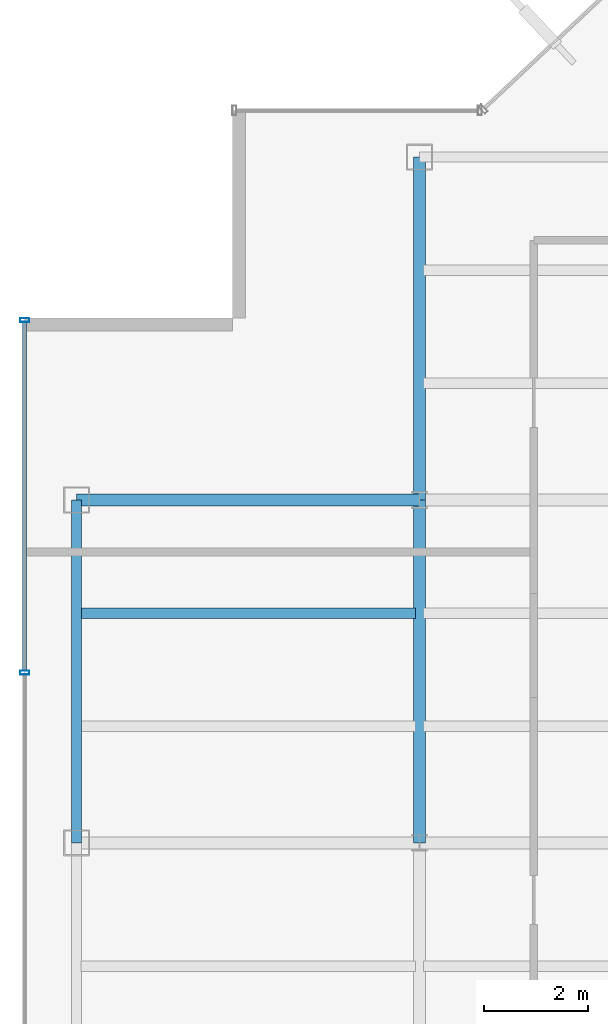
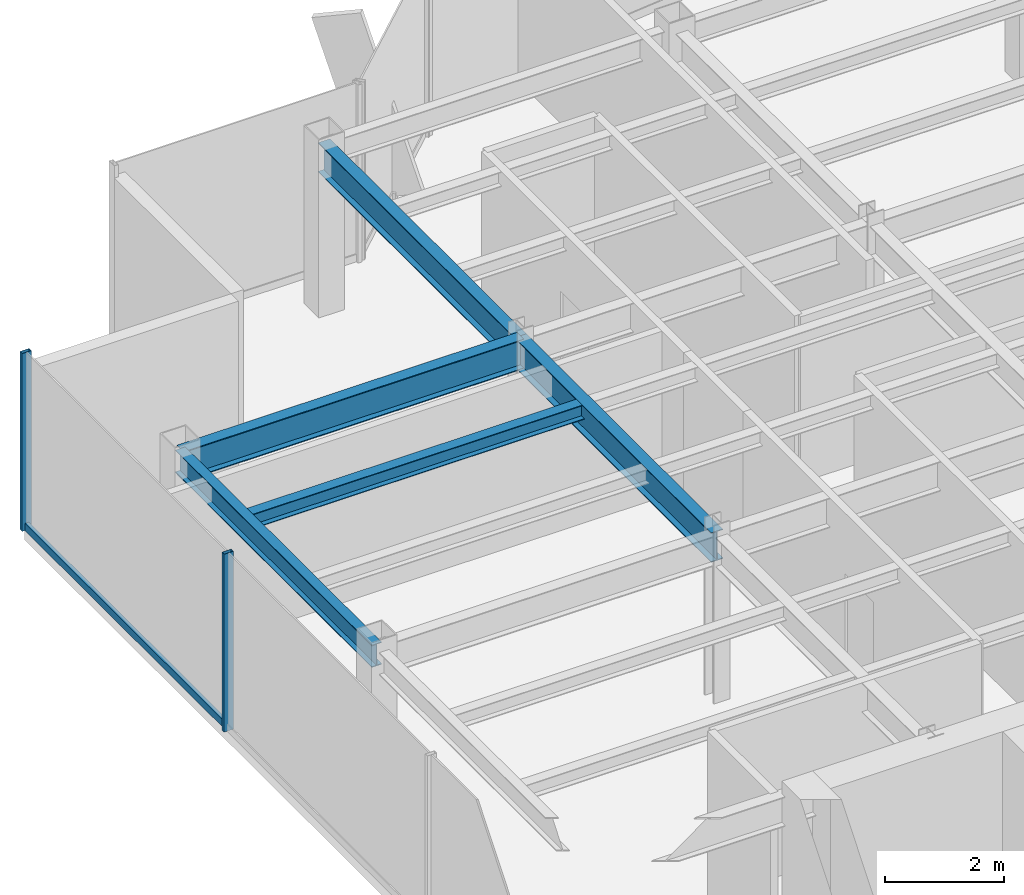
# One storey, part 7 of 22: 5 beams, 3 members, 1 element without a shape of its own.
"""IFC4 building model written with IfcOpenShell, lengths in metres."""

from ifc_helpers import new_model, si_unit, derived_unit, direction, frame, origin, origin_2d, place, context, subcontext, project, spatial, hollow_rectangle, i_section, extrude, source, transform, mapped, material, material_profile, profile_set, type_object, element, aggregate, save


model = new_model("IFC4")

# Units and contexts
model_context = context("Model", 3, precision=1e-05, world=origin(), true_north=direction((0.0, 1.0)))
body_context = subcontext(model_context, "Body", "Model", "MODEL_VIEW")
ifc_project = project(units=[si_unit("LENGTHUNIT", "METRE"), si_unit("AREAUNIT", "SQUARE_METRE"), si_unit("VOLUMEUNIT", "CUBIC_METRE"), si_unit("PLANEANGLEUNIT", "RADIAN"), si_unit("MASSUNIT", "GRAM", prefix="KILO"), derived_unit("THERMALTRANSMITTANCEUNIT", [(si_unit("POWERUNIT", "WATT"), 1), (si_unit("LENGTHUNIT", "METRE"), -2), (si_unit("THERMODYNAMICTEMPERATUREUNIT", "KELVIN"), -1)])], contexts=[model_context])

# Site, building, storey
site_placement = place(None, origin())
site = spatial("IfcSite", under=ifc_project, at=site_placement, CompositionType="ELEMENT")
building_placement = place(site_placement, origin())
building = spatial("IfcBuilding", under=site, at=building_placement, Name="Skarnbrae Concourse Arena and Tower", CompositionType="ELEMENT")
storey_placement = place(building_placement, frame((0.0, 0.0, 266.10009765625)))
storey = spatial("IfcBuildingStorey", under=building, at=storey_placement, Name="L69", CompositionType="ELEMENT", Elevation=266.10009765625)

# Beams
ifc_material_1 = material(Name="Steel CSA G40.21 350W", Category="steel")
ifc_material_profile_1 = material_profile(ifc_material_1, i_section(OverallWidth=0.22802734375, OverallDepth=0.60791015625, WebThickness=0.01123046875, FlangeThickness=0.017333984375, at=origin_2d()), Name="W610X113")
ifc_profile_set_1 = profile_set([ifc_material_profile_1], Name="Steel CSA G40.21 350W")
beam_type_1 = type_object("IfcBeamType", Name="BM-GIRD-W610X113", PredefinedType="BEAM", material=ifc_profile_set_1)
shared_shape_1 = source(origin(), body_context, "Body", "SweptSolid", [
    extrude(i_section(OverallWidth=0.22802734375, OverallDepth=0.60791015625, WebThickness=0.01123046875, FlangeThickness=0.017333984375, at=origin_2d()), origin(), (0.0, 0.0, 1.0), 6.60009765625),
])
for number, where, z_axis, x_axis, name in (
    (1, (1.0, 27.800048828125, 3.095947265625), (1.0, 0.0, 0.0), (0.0, 1.0, 0.0), "L69 Primary E-W girder Y27.8-1"),
    (2, (7.60009765625, 21.199951171875, 3.095947265625), (0.0, 1.0, 0.0), (-1.0, 0.0, 0.0), "L69 Primary N-S girder X7.6-2"),
):
    element("IfcBeam", number, at=place(storey_placement, frame(where, z_axis=z_axis, x_axis=x_axis)), inside=storey, type_object=beam_type_1, Name=name, PredefinedType="BEAM", context=body_context, shape_type="MappedRepresentation", body=[
        mapped(shared_shape_1, transform((0.0, 0.0, 0.0))),
    ])
ifc_material_profile_2 = material_profile(ifc_material_1, i_section(OverallWidth=0.19091796875, OverallDepth=0.4599609375, WebThickness=0.010009765625, FlangeThickness=0.01611328125, at=origin_2d()), Name="W460X82")
ifc_profile_set_2 = profile_set([ifc_material_profile_2], Name="Steel CSA G40.21 350W")
beam_type_2 = type_object("IfcBeamType", Name="BM-SPAN-W460X82", PredefinedType="SPANDREL", material=ifc_profile_set_2)
shared_shape_2 = source(origin(), body_context, "Body", "SweptSolid", [
    extrude(i_section(OverallWidth=0.19091796875, OverallDepth=0.4599609375, WebThickness=0.010009765625, FlangeThickness=0.01611328125, at=origin_2d()), origin(), (0.0, 0.0, 1.0), 6.60009765625),
])
beam_1_placement = place(storey_placement, frame((1.0, 21.199951171875, 3.169921875), z_axis=(0.0, 1.0, 0.0), x_axis=(-1.0, 0.0, 0.0)))
element("IfcBeam", 3, at=beam_1_placement, inside=storey, type_object=beam_type_2, Name="L69 Perimeter spandrel X1.0-3", PredefinedType="SPANDREL", context=body_context, shape_type="MappedRepresentation", body=[
    mapped(shared_shape_2, transform((0.0, 0.0, 0.0))),
])
shared_shape_3 = source(origin(), body_context, "Body", "SweptSolid", [
    extrude(i_section(OverallWidth=0.22802734375, OverallDepth=0.60791015625, WebThickness=0.01123046875, FlangeThickness=0.017333984375, at=origin_2d()), origin(), (0.0, 0.0, 1.0), 6.599853515625),
])
beam_2_placement = place(storey_placement, frame((7.60009765625, 27.800048828125, 3.095947265625), z_axis=(0.0, 1.0, 0.0), x_axis=(-1.0, 0.0, 0.0)))
element("IfcBeam", 4, at=beam_2_placement, inside=storey, type_object=beam_type_1, Name="L69 Primary N-S girder X7.6-3", PredefinedType="BEAM", context=body_context, shape_type="MappedRepresentation", body=[
    mapped(shared_shape_3, transform((0.0, 0.0, 0.0))),
])
ifc_material_profile_3 = material_profile(ifc_material_1, i_section(OverallWidth=0.202880859375, OverallDepth=0.302978515625, WebThickness=0.007568359375, FlangeThickness=0.01318359375, at=origin_2d()), Name="W310X60")
ifc_profile_set_3 = profile_set([ifc_material_profile_3], Name="Steel CSA G40.21 350W")
beam_type_3 = type_object("IfcBeamType", Name="BM-JOIST-W310X60", PredefinedType="JOIST", material=ifc_profile_set_3)
shared_shape_4 = source(origin(), body_context, "Body", "SweptSolid", [
    extrude(i_section(OverallWidth=0.202880859375, OverallDepth=0.302978515625, WebThickness=0.007568359375, FlangeThickness=0.01318359375, at=origin_2d()), origin(), (0.0, 0.0, 1.0), 6.43994140625),
])
beam_3_placement = place(storey_placement, frame((1.080078125, 25.6220703125, 3.248291015625), z_axis=(1.0, 0.0, 0.0), x_axis=(0.0, 1.0, 0.0)))
element("IfcBeam", 5, at=beam_3_placement, inside=storey, type_object=beam_type_3, Name="L69 Secondary floor joist 2.2.1", PredefinedType="JOIST", context=body_context, shape_type="MappedRepresentation", body=[
    mapped(shared_shape_4, transform((0.0, 0.0, 0.0))),
])

# Curtain wall, members
ifc_material_2 = material(Name="Bronze anodised aluminium 6063-T6", Category="aluminium")
curtain_wall_type = type_object("IfcCurtainWallType", Name="CW-SYS-05-HIGHZONE", PredefinedType="USERDEFINED", material=ifc_material_2)
curtain_wall_placement = place(storey_placement, origin())
curtain_wall = element("IfcCurtainWall", 6, at=curtain_wall_placement, inside=storey, type_object=curtain_wall_type, Name="L69 Unitised curtain wall CW-L69-E18", ObjectType="UNITISED CURTAIN WALL", PredefinedType="USERDEFINED")
ifc_material_profile_4 = material_profile(ifc_material_2, hollow_rectangle(XDim=0.074951171875, YDim=0.179931640625, WallThickness=0.00390625, at=origin_2d()), Name="ALU-MULL-75X180")
ifc_profile_set_4 = profile_set([ifc_material_profile_4], Name="Bronze anodised aluminium 6063-T6")
member_type_1 = type_object("IfcMemberType", Name="CWM-CW-05", PredefinedType="MULLION", material=ifc_profile_set_4)
shared_shape_5 = source(origin(), body_context, "Body", "SweptSolid", [
    extrude(hollow_rectangle(XDim=0.074951171875, YDim=0.179931640625, WallThickness=0.00390625, at=origin_2d()), origin(), (0.0, 0.0, 1.0), 3.64990234375),
])
member_1_placement = place(storey_placement, frame((0.0, 31.262451171875, 0.0), z_axis=(0.0, 0.0, 1.0), x_axis=(0.0, -1.0, 0.0)))
member_1 = element("IfcMember", 7, at=member_1_placement, type_object=member_type_1, Name="CW-L69-E18 Mullion 1", PredefinedType="MULLION", context=body_context, shape_type="MappedRepresentation", body=[
    mapped(shared_shape_5, transform((0.0, 0.0, 0.0))),
])
member_2_placement = place(storey_placement, frame((0.0, 24.47509765625, 0.0), z_axis=(0.0, 0.0, 1.0), x_axis=(0.0, -1.0, 0.0)))
member_2 = element("IfcMember", 8, at=member_2_placement, type_object=member_type_1, Name="CW-L69-E18 Mullion 2", PredefinedType="MULLION", context=body_context, shape_type="MappedRepresentation", body=[
    mapped(shared_shape_5, transform((0.0, 0.0, 0.0))),
])
ifc_material_profile_5 = material_profile(ifc_material_2, hollow_rectangle(XDim=0.074951171875, YDim=0.14990234375, WallThickness=0.00390625, at=origin_2d()), Name="ALU-TRAN-75X150")
ifc_profile_set_5 = profile_set([ifc_material_profile_5], Name="Bronze anodised aluminium 6063-T6")
member_type_2 = type_object("IfcMemberType", Name="CWT-CW-05", PredefinedType="USERDEFINED", material=ifc_profile_set_5)
shared_shape_6 = source(origin(), body_context, "Body", "SweptSolid", [
    extrude(hollow_rectangle(XDim=0.074951171875, YDim=0.14990234375, WallThickness=0.00390625, at=origin_2d()), origin(), (0.0, 0.0, 1.0), 6.712646484375),
])
member_3_placement = place(storey_placement, frame((0.0, 31.22509765625, 0.074951171875), z_axis=(0.0, -1.0, 0.0), x_axis=(1.0, 0.0, 0.0)))
member_3 = element("IfcMember", 9, at=member_3_placement, type_object=member_type_2, Name="CW-L69-E18 Transom 1", ObjectType="TRANSOM", PredefinedType="USERDEFINED", context=body_context, shape_type="MappedRepresentation", body=[
    mapped(shared_shape_6, transform((0.0, 0.0, 0.0))),
])
aggregate(curtain_wall, [member_1, member_2, member_3])

save(model, "model.ifc")
